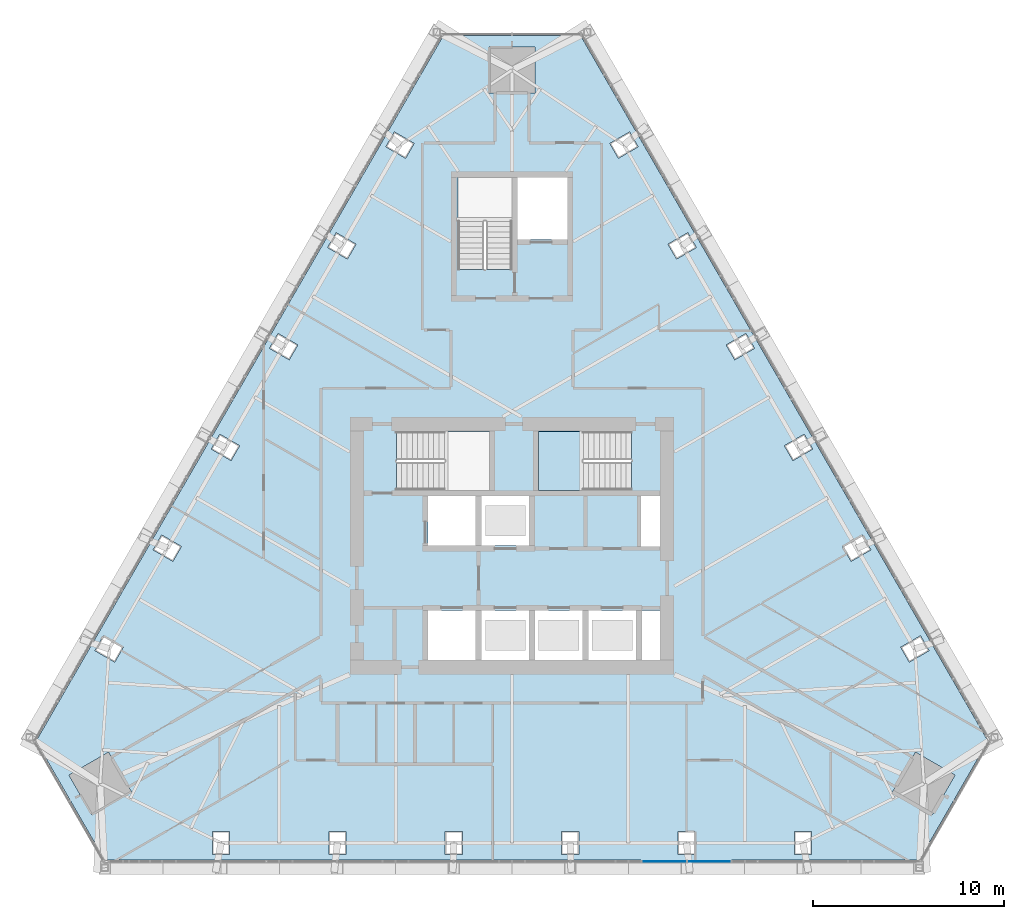
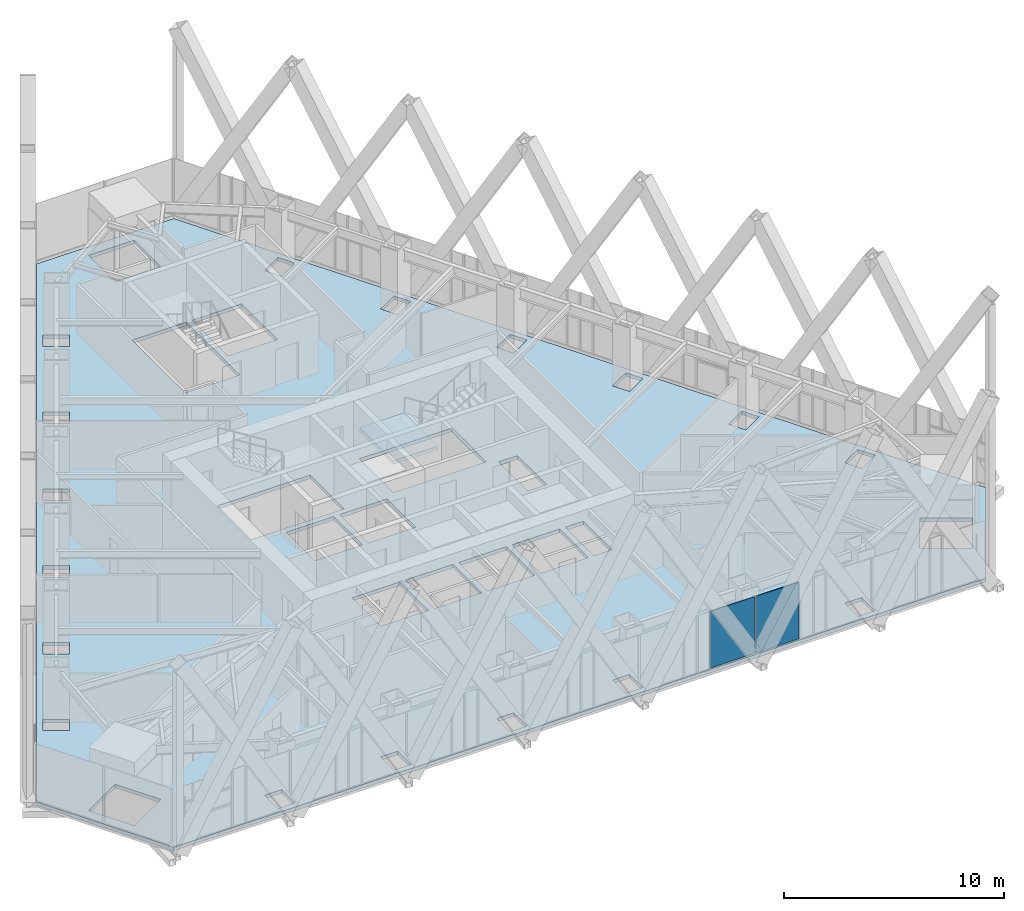
# One storey, part 13 of 23: 2 plates, 2 slabs, 2 elements without a shape of their own.
"""IFC4 building model written with IfcOpenShell, lengths in metres."""

from ifc_helpers import new_model, si_unit, direction, frame, origin, place, context, subcontext, project, spatial, polyline, outline, extrude, material, layer, layer_set, type_object, element, aggregate, save


model = new_model("IFC4")

# Units and contexts
model_context = context("Model", 3, precision=1e-05, world=origin(), true_north=direction((0.0, 1.0)))
body_context = subcontext(model_context, "Body", "Model", "MODEL_VIEW")
ifc_project = project(units=[si_unit("LENGTHUNIT", "METRE"), si_unit("AREAUNIT", "SQUARE_METRE"), si_unit("VOLUMEUNIT", "CUBIC_METRE"), si_unit("PLANEANGLEUNIT", "RADIAN"), si_unit("MASSUNIT", "GRAM", prefix="KILO")], contexts=[model_context])

# Site, building, storey
site_placement = place(None, origin())
site = spatial("IfcSite", under=ifc_project, at=site_placement, CompositionType="ELEMENT")
building_placement = place(site_placement, origin())
building = spatial("IfcBuilding", under=site, at=building_placement, Name="Firuza Gate Tower and Library", CompositionType="ELEMENT")
storey_placement = place(building_placement, frame((0.0, 0.0, 302.10009765625)))
storey = spatial("IfcBuildingStorey", under=building, at=storey_placement, Name="L73", CompositionType="ELEMENT", Elevation=302.10009765625)

# Slab
ifc_material_1 = material(Name="Concrete C40/50", Category="concrete")
ifc_layer_1 = layer(ifc_material_1, 0.199951171875)
ifc_layer_set_1 = layer_set([ifc_layer_1], Name="Composite floor slab 200 C40/50")
slab_type_1 = type_object("IfcSlabType", Name="Composite floor slab 200 C40/50", PredefinedType="FLOOR", material=ifc_layer_set_1)
slab_1_placement = place(storey_placement, frame((0.0, 0.0, -0.2001953125)))
element("IfcSlab", 1, at=slab_1_placement, inside=storey, type_object=slab_type_1, Name="Floor slab L73", PredefinedType="FLOOR", context=body_context, shape_type="SweptSolid", body=[
    extrude(outline(polyline([(50.06396484375, 64.760009765625), (53.6640625, 58.524658203125), (96.3359375, 58.524658203125), (99.93603515625, 64.760009765625), (78.60009765625, 101.715087890625), (71.39990234375, 101.715087890625), (50.06396484375, 64.760009765625)]), holes=[polyline([(59.31005859375, 58.82470703125), (59.31005859375, 60.024658203125), (60.2099609375, 60.024658203125), (60.2099609375, 58.82470703125), (59.31005859375, 58.82470703125)]), polyline([(65.406005859375, 58.82470703125), (65.406005859375, 60.024658203125), (66.305908203125, 60.024658203125), (66.305908203125, 58.82470703125), (65.406005859375, 58.82470703125)]), polyline([(71.501953125, 58.82470703125), (71.501953125, 60.024658203125), (72.402099609375, 60.024658203125), (72.402099609375, 58.82470703125), (71.501953125, 58.82470703125)]), polyline([(51.78369140625, 62.981689453125), (53.862060546875, 64.181640625), (55.06201171875, 62.103271484375), (52.983642578125, 60.903076171875), (51.78369140625, 62.981689453125)]), polyline([(53.596923828125, 70.279052734375), (54.635986328125, 69.67919921875), (54.18603515625, 68.899658203125), (53.146728515625, 69.499755859375), (53.596923828125, 70.279052734375)]), polyline([(73.10009765625, 69.0), (70.60009765625, 69.0), (70.60009765625, 71.60009765625), (73.10009765625, 71.60009765625), (73.10009765625, 69.0)]), polyline([(75.89990234375, 69.0), (73.39990234375, 69.0), (73.39990234375, 71.60009765625), (75.89990234375, 71.60009765625), (75.89990234375, 69.0)]), polyline([(56.644775390625, 75.558349609375), (57.68408203125, 74.95849609375), (57.234130859375, 74.178955078125), (56.19482421875, 74.779052734375), (56.644775390625, 75.558349609375)]), polyline([(73.10009765625, 75.0), (70.60009765625, 75.0), (70.60009765625, 77.60009765625), (73.10009765625, 77.60009765625), (73.10009765625, 75.0)]), polyline([(75.89990234375, 75.0), (73.39990234375, 75.0), (73.39990234375, 77.60009765625), (75.89990234375, 77.60009765625), (75.89990234375, 75.0)]), polyline([(68.9404296875, 77.89990234375), (68.9404296875, 80.97998046875), (73.81005859375, 80.97998046875), (73.81005859375, 77.89990234375), (68.9404296875, 77.89990234375)]), polyline([(59.69287109375, 80.837646484375), (60.73193359375, 80.23779296875), (60.281982421875, 79.458251953125), (59.242919921875, 80.058349609375), (59.69287109375, 80.837646484375)]), polyline([(62.74072265625, 86.116943359375), (63.780029296875, 85.51708984375), (63.330078125, 84.737548828125), (62.290771484375, 85.337646484375), (62.74072265625, 86.116943359375)]), polyline([(65.788818359375, 91.396240234375), (66.828125, 90.79638671875), (66.3779296875, 90.016845703125), (65.3388671875, 90.616943359375), (65.788818359375, 91.396240234375)]), polyline([(72.159912109375, 89.470458984375), (72.159912109375, 94.300048828125), (75.0, 94.300048828125), (75.0, 89.470458984375), (72.159912109375, 89.470458984375)]), polyline([(68.8369140625, 96.675537109375), (69.8759765625, 96.07568359375), (69.426025390625, 95.296142578125), (68.38671875, 95.896240234375), (68.8369140625, 96.675537109375)]), polyline([(76.199951171875, 101.115234375), (76.199951171875, 98.715087890625), (73.800048828125, 98.715087890625), (73.800048828125, 101.115234375), (76.199951171875, 101.115234375)]), polyline([(77.597900390625, 58.82470703125), (77.597900390625, 60.024658203125), (78.498046875, 60.024658203125), (78.498046875, 58.82470703125), (77.597900390625, 58.82470703125)]), polyline([(83.694091796875, 58.82470703125), (83.694091796875, 60.024658203125), (84.593994140625, 60.024658203125), (84.593994140625, 58.82470703125), (83.694091796875, 58.82470703125)]), polyline([(89.7900390625, 58.82470703125), (89.7900390625, 60.024658203125), (90.68994140625, 60.024658203125), (90.68994140625, 58.82470703125), (89.7900390625, 58.82470703125)]), polyline([(97.016357421875, 60.903076171875), (94.93798828125, 62.103271484375), (96.137939453125, 64.181640625), (98.21630859375, 62.981689453125), (97.016357421875, 60.903076171875)]), polyline([(96.853271484375, 69.499755859375), (95.81396484375, 68.899658203125), (95.364013671875, 69.67919921875), (96.403076171875, 70.279052734375), (96.853271484375, 69.499755859375)]), polyline([(78.699951171875, 69.0), (76.199951171875, 69.0), (76.199951171875, 71.60009765625), (78.699951171875, 71.60009765625), (78.699951171875, 69.0)]), polyline([(81.5, 69.0), (79.0, 69.0), (79.0, 71.60009765625), (81.5, 71.60009765625), (81.5, 69.0)]), polyline([(82.75, 69.0), (81.800048828125, 69.0), (81.800048828125, 71.60009765625), (82.75, 71.60009765625), (82.75, 69.0)]), polyline([(93.80517578125, 74.779052734375), (92.765869140625, 74.178955078125), (92.31591796875, 74.95849609375), (93.355224609375, 75.558349609375), (93.80517578125, 74.779052734375)]), polyline([(82.75, 74.949951171875), (81.75, 74.949951171875), (81.75, 77.60009765625), (82.75, 77.60009765625), (82.75, 74.949951171875)]), polyline([(81.259521484375, 80.97998046875), (81.259521484375, 77.89990234375), (76.389892578125, 77.89990234375), (76.389892578125, 80.97998046875), (81.259521484375, 80.97998046875)]), polyline([(90.757080078125, 80.058349609375), (89.718017578125, 79.458251953125), (89.26806640625, 80.23779296875), (90.30712890625, 80.837646484375), (90.757080078125, 80.058349609375)]), polyline([(87.709228515625, 85.337646484375), (86.669921875, 84.737548828125), (86.219970703125, 85.51708984375), (87.25927734375, 86.116943359375), (87.709228515625, 85.337646484375)]), polyline([(84.6611328125, 90.616943359375), (83.6220703125, 90.016845703125), (83.171875, 90.79638671875), (84.211181640625, 91.396240234375), (84.6611328125, 90.616943359375)]), polyline([(75.300048828125, 91.050048828125), (75.300048828125, 94.300048828125), (77.89990234375, 94.300048828125), (77.89990234375, 91.050048828125), (75.300048828125, 91.050048828125)]), polyline([(80.573974609375, 95.296142578125), (80.1240234375, 96.07568359375), (81.1630859375, 96.675537109375), (81.61328125, 95.896240234375), (80.573974609375, 95.296142578125)])]), origin(), (0.0, 0.0, 1.0), 0.2001953125),
])

# Curtain wall, plates
ifc_material_2 = material(Name="Aluminium 6063-T6", Category="aluminium")
ifc_layer_2 = layer(ifc_material_2, 0.14990234375)
ifc_layer_set_2 = layer_set([ifc_layer_2], Name="Unitised curtain wall, residences")
curtain_wall_type = type_object("IfcCurtainWallType", Name="Unitised curtain wall, residences", PredefinedType="NOTDEFINED", material=ifc_layer_set_2)
placement = place(storey_placement, origin())
curtain_wall = element("IfcCurtainWall", 2, at=placement, inside=storey, type_object=curtain_wall_type, Name="CW3 L73 S face", PredefinedType="NOTDEFINED")
ifc_material_3 = material(Name="Glazed ceramic tile")
ifc_layer_3 = layer(ifc_material_3, 0.030029296875)
ifc_layer_set_3 = layer_set([ifc_layer_3], Name="Opaque ceramic panel, residences")
plate_type = type_object("IfcPlateType", Name="Opaque ceramic panel, residences", PredefinedType="CURTAIN_PANEL", material=ifc_layer_set_3)
plate_1_placement = place(storey_placement, frame((81.818359375, 58.434814453125, 0.14990234375), z_axis=(0.0, -1.0, 0.0), x_axis=(1.0, 0.0, 0.0)))
plate_1 = element("IfcPlate", 3, at=plate_1_placement, type_object=plate_type, Name="Opaque ceramic panel", PredefinedType="CURTAIN_PANEL", context=body_context, shape_type="SweptSolid", body=[
    extrude(outline(polyline([(0.0, 0.0), (2.30419921875, 0.0), (2.30419921875, 3.14990234375), (0.0, 3.14990234375), (0.0, 0.0)])), origin(), (0.0, 0.0, -1.0), 0.030029296875),
])
plate_2_placement = place(storey_placement, frame((84.20263671875, 58.434814453125, 0.14990234375), z_axis=(0.0, -1.0, 0.0), x_axis=(1.0, 0.0, 0.0)))
plate_2 = element("IfcPlate", 4, at=plate_2_placement, type_object=plate_type, Name="Opaque ceramic panel", PredefinedType="CURTAIN_PANEL", context=body_context, shape_type="SweptSolid", body=[
    extrude(outline(polyline([(0.0, 0.0), (2.266845703125, 0.0), (2.266845703125, 3.14990234375), (0.0, 3.14990234375), (0.0, 0.0)])), origin(), (0.0, 0.0, -1.0), 0.030029296875),
])
aggregate(curtain_wall, [plate_1, plate_2])

# Stair, slab
ifc_material_4 = material(Name="Concrete C35/45", Category="concrete")
stair_type = type_object("IfcStairType", Name="Exit stair ST8", PredefinedType="HALF_TURN_STAIR", material=ifc_material_4)
stair = element("IfcStair", 5, at=placement, inside=storey, type_object=stair_type, Name="L73 Stair ST2", PredefinedType="HALF_TURN_STAIR")
ifc_material_5 = material(Name="Concrete C35/45", Category="concrete")
ifc_layer_4 = layer(ifc_material_5, 0.199951171875)
ifc_layer_set_4 = layer_set([ifc_layer_4], Name="Stair landing 200")
slab_type_2 = type_object("IfcSlabType", Name="Stair landing 200", PredefinedType="LANDING", material=ifc_layer_set_4)
slab_2_placement = place(storey_placement, frame((0.0, 0.0, 1.5498046875)))
slab_2 = element("IfcSlab", 6, at=slab_2_placement, type_object=slab_type_2, Name="ST2 landing 1", PredefinedType="LANDING", context=body_context, shape_type="SweptSolid", body=[
    extrude(outline(polyline([(78.739990234375, 80.97998046875), (76.389892578125, 80.97998046875), (76.389892578125, 77.89990234375), (78.739990234375, 77.89990234375), (78.739990234375, 80.97998046875)])), origin(), (0.0, 0.0, 1.0), 0.2001953125),
])
aggregate(stair, [slab_2])

save(model, "model.ifc")
